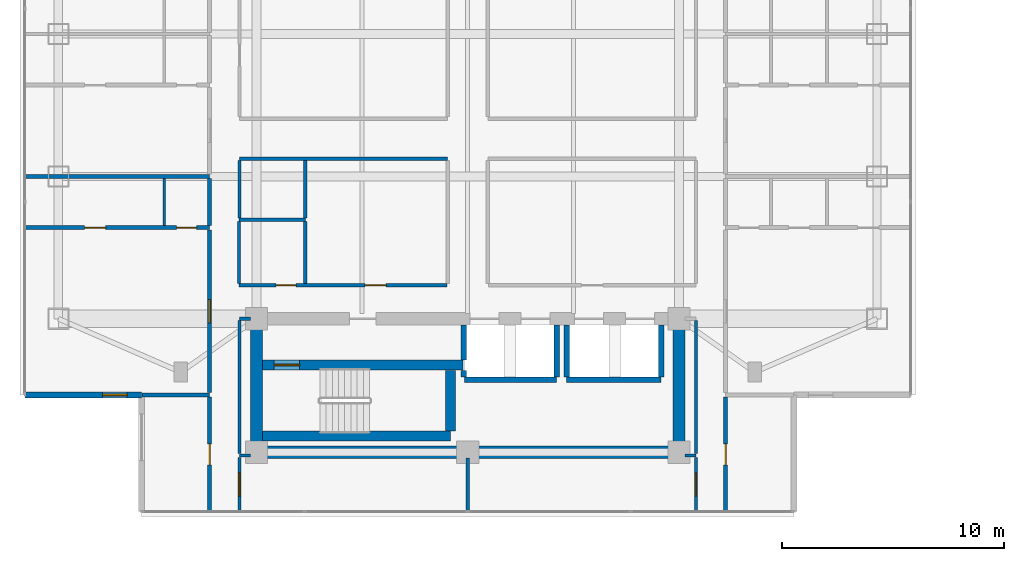
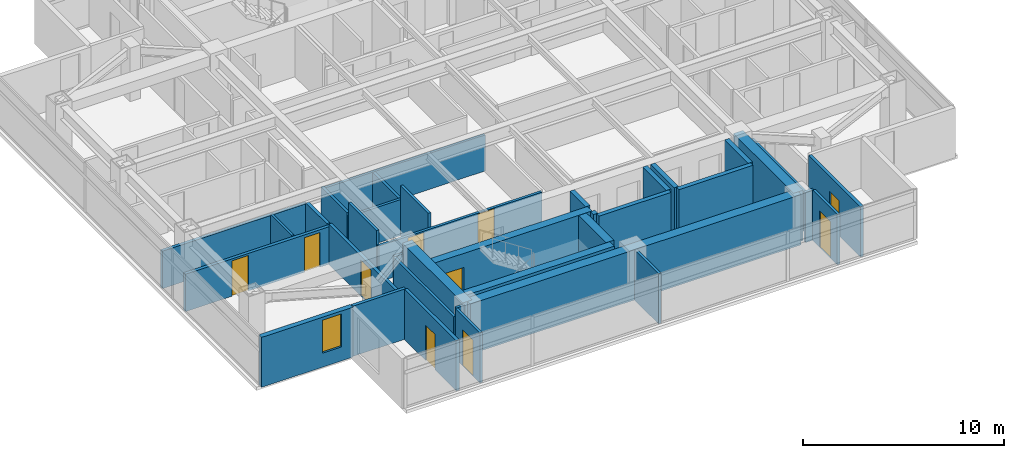
# One storey, part 12 of 24: 37 walls, 10 doors, 1 window, 11 openings.
"""IFC4 building model written with IfcOpenShell, lengths in metres."""

from ifc_helpers import new_model, si_unit, direction, frame, frame_2d, origin, place, context, subcontext, project, spatial, rectangle, extrude, material, layer, layer_set, type_object, element, fill, save


model = new_model("IFC4")

# Units and contexts
model_context = context("Model", 3, precision=1e-05, world=origin(), true_north=direction((0.0, 1.0)))
body_context = subcontext(model_context, "Body", "Model", "MODEL_VIEW")
ifc_project = project(units=[si_unit("LENGTHUNIT", "METRE"), si_unit("AREAUNIT", "SQUARE_METRE"), si_unit("VOLUMEUNIT", "CUBIC_METRE"), si_unit("PLANEANGLEUNIT", "RADIAN"), si_unit("MASSUNIT", "GRAM", prefix="KILO")], contexts=[model_context])

# Site, building, storey
site_placement = place(None, origin())
site = spatial("IfcSite", under=ifc_project, at=site_placement, CompositionType="ELEMENT")
building_placement = place(site_placement, origin())
building = spatial("IfcBuilding", under=site, at=building_placement, Name="Mirazonda Arch Towers", CompositionType="ELEMENT")
storey_placement = place(building_placement, frame((0.0, 0.0, 157.64990234375)))
storey = spatial("IfcBuildingStorey", under=building, at=storey_placement, Name="L44", CompositionType="ELEMENT", Elevation=157.64990234375)

# Wall
ifc_material_1 = material(Name="Concrete C50/60", Category="concrete")
ifc_layer_1 = layer(ifc_material_1, 0.449951171875, Name="WALL-CORE-450")
ifc_layer_set_1 = layer_set([ifc_layer_1], Name="Concrete C50/60")
wall_type_1 = type_object("IfcWallType", Name="WALL-CORE-450", PredefinedType="SHEAR", material=ifc_layer_set_1)
wall_1_placement = place(storey_placement, frame((11.27001953125, 13.1201171875, 0.0), z_axis=(0.0, 0.0, 1.0), x_axis=(1.0, 0.0, 0.0)))
element("IfcWall", 1, at=wall_1_placement, inside=storey, type_object=wall_type_1, Name="L44 Stair Core Shear Wall 003", PredefinedType="SHEAR", context=body_context, shape_type="SweptSolid", body=[
    extrude(rectangle(XDim=8.4599609375, YDim=0.449951171875, at=frame_2d((4.22998046875, 0.0))), origin(), (0.0, 0.0, 1.0), 3.050048828125),
])

# Wall, opening, door
wall_2_placement = place(storey_placement, frame((11.27001953125, 16.320068359375, 0.0), z_axis=(0.0, 0.0, 1.0), x_axis=(1.0, 0.0, 0.0)))
wall_2 = element("IfcWall", 2, at=wall_2_placement, inside=storey, type_object=wall_type_1, Name="L44 Stair Core Shear Wall 008", PredefinedType="SHEAR", context=body_context, shape_type="SweptSolid", body=[
    extrude(rectangle(XDim=9.010009765625, YDim=0.449951171875, at=frame_2d((4.5048828125, 0.0))), origin(), (0.0, 0.0, 1.0), 3.050048828125),
])
opening_1_placement = place(wall_2_placement, frame((0.52001953125, 0.0, 0.0)))
opening_1 = element("IfcOpeningElement", 3, at=opening_1_placement, cuts=wall_2, Name="Opening DR-135", PredefinedType="OPENING", context=body_context, shape_type="SweptSolid", body=[
    extrude(rectangle(XDim=1.14990234375, YDim=2.199951171875, at=frame_2d((0.574951171875, 1.10009765625))), frame((0.0, 0.23486328125, 0.0), z_axis=(0.0, -1.0, 0.0), x_axis=(1.0, 0.0, 0.0)), (0.0, 0.0, 1.0), 0.469970703125),
])
ifc_material_2 = material(Name="Architectural Brushed Steel S355", Category="steel")
door_type_1 = type_object("IfcDoorType", Name="DOOR-STAIR-FD90-1150", OperationType="NOTDEFINED", PredefinedType="DOOR", material=ifc_material_2)
door_1_placement = place(opening_1_placement, origin())
door_1 = element("IfcDoor", 4, at=door_1_placement, inside=storey, type_object=door_type_1, Name="L44 Protected Exit Stair South Door", OperationType="SINGLE_SWING_RIGHT", OverallHeight=2.199951171875, OverallWidth=1.14990234375, PredefinedType="DOOR", context=body_context, shape_type="SweptSolid", body=[
    extrude(rectangle(XDim=1.14990234375, YDim=2.199951171875, at=frame_2d((0.574951171875, 1.10009765625))), frame((0.0, 0.02490234375, 0.0), z_axis=(0.0, -1.0, 0.0), x_axis=(1.0, 0.0, 0.0)), (0.0, 0.0, 1.0), 0.050048828125),
])
fill(opening_1, door_1)

# Walls
wall_3_placement = place(storey_placement, frame((19.72998046875, 13.35498046875, 0.0), z_axis=(0.0, 0.0, 1.0), x_axis=(0.0, 1.0, 0.0)))
element("IfcWall", 5, at=wall_3_placement, inside=storey, type_object=wall_type_1, Name="L44 Stair Core Shear Wall 089", PredefinedType="SHEAR", context=body_context, shape_type="SweptSolid", body=[
    extrude(rectangle(XDim=2.72998046875, YDim=0.449951171875, at=frame_2d((1.364990234375, 0.0))), origin(), (0.0, 0.0, 1.0), 3.050048828125),
])
ifc_layer_2 = layer(ifc_material_1, 0.550048828125, Name="WALL-CORE-550")
ifc_layer_set_2 = layer_set([ifc_layer_2], Name="Concrete C50/60")
wall_type_2 = type_object("IfcWallType", Name="WALL-CORE-550", PredefinedType="SHEAR", material=ifc_layer_set_2)
wall_4_placement = place(storey_placement, frame((11.0, 12.39990234375, 0.0), z_axis=(0.0, 0.0, 1.0), x_axis=(1.0, 0.0, 0.0)))
element("IfcWall", 6, at=wall_4_placement, inside=storey, type_object=wall_type_2, Name="L44 T1S-S Core Shear Wall", PredefinedType="SHEAR", context=body_context, shape_type="SweptSolid", body=[
    extrude(rectangle(XDim=19.0, YDim=0.550048828125, at=frame_2d((9.5, 0.0))), origin(), (0.0, 0.0, 1.0), 3.050048828125),
])
for number, where, z_axis, x_axis, name in (
    (7, (11.0, 12.39990234375, 0.0), (0.0, 0.0, 1.0), (0.0, 1.0, 0.0), "L44 T1S-W Core Shear Wall"),
    (8, (30.0, 12.39990234375, 0.0), (0.0, 0.0, 1.0), (0.0, 1.0, 0.0), "L44 T1S-E Core Shear Wall"),
):
    element("IfcWall", number, at=place(storey_placement, frame(where, z_axis=z_axis, x_axis=x_axis)), inside=storey, type_object=wall_type_2, Name=name, PredefinedType="SHEAR", context=body_context, shape_type="SweptSolid", body=[
        extrude(rectangle(XDim=6.0, YDim=0.550048828125, at=frame_2d((3.0, 0.0))), origin(), (0.0, 0.0, 1.0), 3.050048828125),
    ])

# Wall, opening, window
ifc_material_3 = material(Name="Precast Concrete C40/50", Category="concrete")
ifc_layer_3 = layer(ifc_material_3, 0.280029296875, Name="WALL-EXT-WALL-280")
ifc_layer_set_3 = layer_set([ifc_layer_3], Name="Precast Concrete C40/50")
wall_type_3 = type_object("IfcWallType", Name="WALL-EXT-WALL-280", PredefinedType="SOLIDWALL", material=ifc_layer_set_3)
wall_5_placement = place(storey_placement, frame((0.590087890625, 14.97705078125, 0.0), z_axis=(0.0, 0.0, 1.0), x_axis=(1.0, 0.0, 0.0)))
wall_5 = element("IfcWall", 9, at=wall_5_placement, inside=storey, type_object=wall_type_3, Name="L44 T1 Corner Notch Return Wall WL-L44-T1-CSW2", PredefinedType="SOLIDWALL", context=body_context, shape_type="SweptSolid", body=[
    extrude(rectangle(XDim=5.244873046875, YDim=0.280029296875, at=frame_2d((2.62255859375, 0.0))), origin(), (0.0, 0.0, 1.0), 3.030029296875),
])
opening_2_placement = place(wall_5_placement, frame((3.4951171875, 0.0, 0.85009765625)))
opening_2 = element("IfcOpeningElement", 10, at=opening_2_placement, cuts=wall_5, Name="Opening WN-108", PredefinedType="OPENING", context=body_context, shape_type="SweptSolid", body=[
    extrude(rectangle(XDim=1.10009765625, YDim=2.0, at=frame_2d((0.550048828125, 1.0))), frame((0.0, 0.14990234375, 0.0), z_axis=(0.0, -1.0, 0.0), x_axis=(1.0, 0.0, 0.0)), (0.0, 0.0, 1.0), 0.300048828125),
])
ifc_material_4 = material(Name="Insulated Low-E Solar Glass", Category="glass")
window_type = type_object("IfcWindowType", Name="WIN-NOTCH-1100x2000", PartitioningType="SINGLE_PANEL", PredefinedType="WINDOW", material=ifc_material_4)
window_placement = place(opening_2_placement, origin())
window = element("IfcWindow", 11, at=window_placement, inside=storey, type_object=window_type, Name="L44 Punched Facade Window WN-L44-T1-CSW2", OverallHeight=2.0, OverallWidth=1.10009765625, PartitioningType="SINGLE_PANEL", PredefinedType="WINDOW", context=body_context, shape_type="SweptSolid", body=[
    extrude(rectangle(XDim=1.10009765625, YDim=2.0, at=frame_2d((0.550048828125, 1.0))), frame((0.0, 0.030029296875, 0.0), z_axis=(0.0, -1.0, 0.0), x_axis=(1.0, 0.0, 0.0)), (0.0, 0.0, 1.0), 0.06005859375),
])
fill(opening_2, window)

# Walls
ifc_material_5 = material(Name="Fire-Rated Gypsum Stud Partition")
ifc_layer_4 = layer(ifc_material_5, 0.14990234375, Name="WALL-PART-CORR-150")
ifc_layer_set_4 = layer_set([ifc_layer_4], Name="Fire-Rated Gypsum Stud Partition")
wall_type_4 = type_object("IfcWallType", Name="WALL-PART-CORR-150", PredefinedType="PARTITIONING", material=ifc_layer_set_4)
for number, where, z_axis, x_axis, name in (
    (12, (10.239990234375, 12.25, 0.0), (0.0, 0.0, 1.0), (1.0, 0.0, 0.0), "L44 Interior Partition 001"),
    (13, (30.27001953125, 12.25, 0.0), (0.0, 0.0, 1.0), (1.0, 0.0, 0.0), "L44 Interior Partition 002"),
):
    element("IfcWall", number, at=place(storey_placement, frame(where, z_axis=z_axis, x_axis=x_axis)), inside=storey, type_object=wall_type_4, Name=name, PredefinedType="PARTITIONING", context=body_context, shape_type="SweptSolid", body=[
        extrude(rectangle(XDim=0.489990234375, YDim=0.14990234375, at=frame_2d((0.2451171875, 0.0))), origin(), (0.0, 0.0, 1.0), 3.050048828125),
    ])
wall_6_placement = place(storey_placement, frame((10.239990234375, 18.39990234375, 0.0), z_axis=(0.0, 0.0, 1.0), x_axis=(1.0, 0.0, 0.0)))
element("IfcWall", 14, at=wall_6_placement, inside=storey, type_object=wall_type_4, Name="L44 Interior Partition 012", PredefinedType="PARTITIONING", context=body_context, shape_type="SweptSolid", body=[
    extrude(rectangle(XDim=0.489990234375, YDim=0.14990234375, at=frame_2d((0.2451171875, 0.0))), origin(), (0.0, 0.0, 1.0), 2.442138671875),
])

# Wall, openings, doors
wall_7_placement = place(storey_placement, frame((10.219970703125, 19.89990234375, 0.0), z_axis=(0.0, 0.0, 1.0), x_axis=(1.0, 0.0, 0.0)))
wall_7 = element("IfcWall", 15, at=wall_7_placement, inside=storey, type_object=wall_type_4, Name="L44 Interior Partition 015", PredefinedType="PARTITIONING", context=body_context, shape_type="SweptSolid", body=[
    extrude(rectangle(XDim=9.340087890625, YDim=0.14990234375, at=frame_2d((4.669921875, 0.0))), origin(), (0.0, 0.0, 1.0), 2.18603515625),
])
opening_3_placement = place(wall_7_placement, frame((1.659912109375, 0.0, 0.0)))
opening_3 = element("IfcOpeningElement", 16, at=opening_3_placement, cuts=wall_7, Name="Opening DR-120", PredefinedType="OPENING", context=body_context, shape_type="SweptSolid", body=[
    extrude(rectangle(XDim=0.89990234375, YDim=2.10009765625, at=frame_2d((0.449951171875, 1.050048828125))), frame((0.0, 0.0849609375, 0.0), z_axis=(0.0, -1.0, 0.0), x_axis=(1.0, 0.0, 0.0)), (0.0, 0.0, 1.0), 0.169921875),
])
opening_4_placement = place(wall_7_placement, frame((5.6650390625, 0.0, 0.0)))
opening_4 = element("IfcOpeningElement", 17, at=opening_4_placement, cuts=wall_7, Name="Opening DR-104", PredefinedType="OPENING", context=body_context, shape_type="SweptSolid", body=[
    extrude(rectangle(XDim=0.949951171875, YDim=2.14990234375, at=frame_2d((0.47509765625, 1.074951171875))), frame((0.0, 0.0849609375, 0.0), z_axis=(0.0, -1.0, 0.0), x_axis=(1.0, 0.0, 0.0)), (0.0, 0.0, 1.0), 0.169921875),
])
door_type_2 = type_object("IfcDoorType", Name="DOOR-ROOM-950", OperationType="NOTDEFINED", PredefinedType="DOOR", material=ifc_material_2)
door_2_placement = place(opening_4_placement, origin())
door_2 = element("IfcDoor", 18, at=door_2_placement, inside=storey, type_object=door_type_2, Name="L44 L44 West Courtyard Study Door", OperationType="SINGLE_SWING_LEFT", OverallHeight=2.14990234375, OverallWidth=0.949951171875, PredefinedType="DOOR", context=body_context, shape_type="SweptSolid", body=[
    extrude(rectangle(XDim=0.949951171875, YDim=2.14990234375, at=frame_2d((0.47509765625, 1.074951171875))), frame((0.0, 0.02490234375, 0.0), z_axis=(0.0, -1.0, 0.0), x_axis=(1.0, 0.0, 0.0)), (0.0, 0.0, 1.0), 0.050048828125),
])
fill(opening_4, door_2)
door_type_3 = type_object("IfcDoorType", Name="DOOR-WC-900", OperationType="NOTDEFINED", PredefinedType="DOOR", material=ifc_material_2)
door_3_placement = place(opening_3_placement, origin())
door_3 = element("IfcDoor", 19, at=door_3_placement, inside=storey, type_object=door_type_3, Name="L44 Common Accessible WC Door", OperationType="SINGLE_SWING_LEFT", OverallHeight=2.10009765625, OverallWidth=0.89990234375, PredefinedType="DOOR", context=body_context, shape_type="SweptSolid", body=[
    extrude(rectangle(XDim=0.89990234375, YDim=2.10009765625, at=frame_2d((0.449951171875, 1.050048828125))), frame((0.0, 0.02490234375, 0.0), z_axis=(0.0, -1.0, 0.0), x_axis=(1.0, 0.0, 0.0)), (0.0, 0.0, 1.0), 0.050048828125),
])
fill(opening_3, door_3)

# Walls
wall_8_placement = place(storey_placement, frame((10.219970703125, 22.85009765625, 0.0), z_axis=(0.0, 0.0, 1.0), x_axis=(1.0, 0.0, 0.0)))
element("IfcWall", 20, at=wall_8_placement, inside=storey, type_object=wall_type_4, Name="L44 Interior Partition 024", PredefinedType="PARTITIONING", context=body_context, shape_type="SweptSolid", body=[
    extrude(rectangle(XDim=2.97998046875, YDim=0.14990234375, at=frame_2d((1.489990234375, 0.0))), origin(), (0.0, 0.0, 1.0), 2.18603515625),
])
wall_9_placement = place(storey_placement, frame((10.239990234375, 25.60009765625, 0.0), z_axis=(0.0, 0.0, 1.0), x_axis=(1.0, 0.0, 0.0)))
element("IfcWall", 21, at=wall_9_placement, inside=storey, type_object=wall_type_4, Name="L44 Interior Partition 029", PredefinedType="PARTITIONING", context=body_context, shape_type="SweptSolid", body=[
    extrude(rectangle(XDim=9.360107421875, YDim=0.14990234375, at=frame_2d((4.68017578125, 0.0))), origin(), (0.0, 0.0, 1.0), 2.18603515625),
])
wall_10_placement = place(storey_placement, frame((10.219970703125, 19.985107421875, 0.0), z_axis=(0.0, 0.0, 1.0), x_axis=(0.0, 1.0, 0.0)))
element("IfcWall", 22, at=wall_10_placement, inside=storey, type_object=wall_type_4, Name="L44 Interior Partition 075", PredefinedType="PARTITIONING", context=body_context, shape_type="SweptSolid", body=[
    extrude(rectangle(XDim=2.77978515625, YDim=0.14990234375, at=frame_2d((1.389892578125, 0.0))), origin(), (0.0, 0.0, 1.0), 3.050048828125),
])

# Wall, opening, door
wall_11_placement = place(storey_placement, frame((10.239990234375, 9.73193359375, 0.0), z_axis=(0.0, 0.0, 1.0), x_axis=(0.0, 1.0, 0.0)))
wall_11 = element("IfcWall", 23, at=wall_11_placement, inside=storey, type_object=wall_type_4, Name="L44 Interior Partition 076", PredefinedType="PARTITIONING", context=body_context, shape_type="SweptSolid", body=[
    extrude(rectangle(XDim=2.43310546875, YDim=0.14990234375, at=frame_2d((1.216552734375, 0.0))), origin(), (0.0, 0.0, 1.0), 3.050048828125),
])
opening_5_placement = place(wall_11_placement, frame((0.69140625, 0.0, 0.0)))
opening_5 = element("IfcOpeningElement", 24, at=opening_5_placement, cuts=wall_11, Name="Opening DR-121", PredefinedType="OPENING", context=body_context, shape_type="SweptSolid", body=[
    extrude(rectangle(XDim=1.050048828125, YDim=2.199951171875, at=frame_2d((0.52490234375, 1.10009765625))), frame((0.0, 0.0849609375, 0.0), z_axis=(0.0, -1.0, 0.0), x_axis=(1.0, 0.0, 0.0)), (0.0, 0.0, 1.0), 0.169921875),
])
door_type_4 = type_object("IfcDoorType", Name="DOOR-SUITE-FD60-1050", OperationType="NOTDEFINED", PredefinedType="DOOR", material=ifc_material_2)
door_4_placement = place(opening_5_placement, origin())
door_4 = element("IfcDoor", 25, at=door_4_placement, inside=storey, type_object=door_type_4, Name="L44 South Panoramic Study West Door", OperationType="SINGLE_SWING_LEFT", OverallHeight=2.199951171875, OverallWidth=1.050048828125, PredefinedType="DOOR", context=body_context, shape_type="SweptSolid", body=[
    extrude(rectangle(XDim=1.050048828125, YDim=2.199951171875, at=frame_2d((0.52490234375, 1.10009765625))), frame((0.0, 0.02490234375, 0.0), z_axis=(0.0, -1.0, 0.0), x_axis=(1.0, 0.0, 0.0)), (0.0, 0.0, 1.0), 0.050048828125),
])
fill(opening_5, door_4)

# Walls
wall_12_placement = place(storey_placement, frame((10.239990234375, 12.3349609375, 0.0), z_axis=(0.0, 0.0, 1.0), x_axis=(0.0, 1.0, 0.0)))
element("IfcWall", 26, at=wall_12_placement, inside=storey, type_object=wall_type_4, Name="L44 Interior Partition 077", PredefinedType="PARTITIONING", context=body_context, shape_type="SweptSolid", body=[
    extrude(rectangle(XDim=5.97998046875, YDim=0.14990234375, at=frame_2d((2.989990234375, 0.0))), origin(), (0.0, 0.0, 1.0), 2.442138671875),
])
wall_13_placement = place(storey_placement, frame((10.239990234375, 22.93505859375, 0.0), z_axis=(0.0, 0.0, 1.0), x_axis=(0.0, 1.0, 0.0)))
element("IfcWall", 27, at=wall_13_placement, inside=storey, type_object=wall_type_4, Name="L44 Interior Partition 078", PredefinedType="PARTITIONING", context=body_context, shape_type="SweptSolid", body=[
    extrude(rectangle(XDim=2.579833984375, YDim=0.14990234375, at=frame_2d((1.2900390625, 0.0))), origin(), (0.0, 0.0, 1.0), 2.34619140625),
])
wall_14_placement = place(storey_placement, frame((13.199951171875, 19.985107421875, 0.0), z_axis=(0.0, 0.0, 1.0), x_axis=(0.0, 1.0, 0.0)))
element("IfcWall", 28, at=wall_14_placement, inside=storey, type_object=wall_type_4, Name="L44 Interior Partition 083", PredefinedType="PARTITIONING", context=body_context, shape_type="SweptSolid", body=[
    extrude(rectangle(XDim=2.77978515625, YDim=0.14990234375, at=frame_2d((1.389892578125, 0.0))), origin(), (0.0, 0.0, 1.0), 3.050048828125),
])
wall_15_placement = place(storey_placement, frame((13.199951171875, 22.93505859375, 0.0), z_axis=(0.0, 0.0, 1.0), x_axis=(0.0, 1.0, 0.0)))
element("IfcWall", 29, at=wall_15_placement, inside=storey, type_object=wall_type_4, Name="L44 Interior Partition 084", PredefinedType="PARTITIONING", context=body_context, shape_type="SweptSolid", body=[
    extrude(rectangle(XDim=2.579833984375, YDim=0.14990234375, at=frame_2d((1.2900390625, 0.0))), origin(), (0.0, 0.0, 1.0), 2.18603515625),
])
wall_16_placement = place(storey_placement, frame((20.5, 9.73193359375, 0.0), z_axis=(0.0, 0.0, 1.0), x_axis=(0.0, 1.0, 0.0)))
element("IfcWall", 30, at=wall_16_placement, inside=storey, type_object=wall_type_4, Name="L44 Interior Partition 094", PredefinedType="PARTITIONING", context=body_context, shape_type="SweptSolid", body=[
    extrude(rectangle(XDim=2.39794921875, YDim=0.14990234375, at=frame_2d((1.198974609375, 0.0))), origin(), (0.0, 0.0, 1.0), 3.050048828125),
])

# Wall, opening, door
wall_17_placement = place(storey_placement, frame((30.760009765625, 9.73193359375, 0.0), z_axis=(0.0, 0.0, 1.0), x_axis=(0.0, 1.0, 0.0)))
wall_17 = element("IfcWall", 31, at=wall_17_placement, inside=storey, type_object=wall_type_4, Name="L44 Interior Partition 108", PredefinedType="PARTITIONING", context=body_context, shape_type="SweptSolid", body=[
    extrude(rectangle(XDim=2.43310546875, YDim=0.14990234375, at=frame_2d((1.216552734375, 0.0))), origin(), (0.0, 0.0, 1.0), 3.050048828125),
])
opening_6_placement = place(wall_17_placement, frame((0.69140625, 0.0, 0.0)))
opening_6 = element("IfcOpeningElement", 32, at=opening_6_placement, cuts=wall_17, Name="Opening DR-121", PredefinedType="OPENING", context=body_context, shape_type="SweptSolid", body=[
    extrude(rectangle(XDim=1.050048828125, YDim=2.199951171875, at=frame_2d((0.52490234375, 1.10009765625))), frame((0.0, 0.0849609375, 0.0), z_axis=(0.0, -1.0, 0.0), x_axis=(1.0, 0.0, 0.0)), (0.0, 0.0, 1.0), 0.169921875),
])
door_5_placement = place(opening_6_placement, origin())
door_5 = element("IfcDoor", 33, at=door_5_placement, inside=storey, type_object=door_type_4, Name="L44 South Panoramic Study East Door", OperationType="SINGLE_SWING_RIGHT", OverallHeight=2.199951171875, OverallWidth=1.050048828125, PredefinedType="DOOR", context=body_context, shape_type="SweptSolid", body=[
    extrude(rectangle(XDim=1.050048828125, YDim=2.199951171875, at=frame_2d((0.52490234375, 1.10009765625))), frame((0.0, 0.02490234375, 0.0), z_axis=(0.0, -1.0, 0.0), x_axis=(1.0, 0.0, 0.0)), (0.0, 0.0, 1.0), 0.050048828125),
])
fill(opening_6, door_5)

# Walls
wall_18_placement = place(storey_placement, frame((30.760009765625, 12.3349609375, 0.0), z_axis=(0.0, 0.0, 1.0), x_axis=(0.0, 1.0, 0.0)))
element("IfcWall", 34, at=wall_18_placement, inside=storey, type_object=wall_type_4, Name="L44 Interior Partition 109", PredefinedType="PARTITIONING", context=body_context, shape_type="SweptSolid", body=[
    extrude(rectangle(XDim=5.97998046875, YDim=0.14990234375, at=frame_2d((2.989990234375, 0.0))), origin(), (0.0, 0.0, 1.0), 2.442138671875),
])
ifc_material_6 = material(Name="Fire-Rated Gypsum Twin-Stud Assembly")
ifc_layer_5 = layer(ifc_material_6, 0.179931640625, Name="WALL-PART-DEMISE-180")
ifc_layer_set_5 = layer_set([ifc_layer_5], Name="Fire-Rated Gypsum Twin-Stud Assembly")
wall_type_5 = type_object("IfcWallType", Name="WALL-PART-DEMISE-180", PredefinedType="PARTITIONING", material=ifc_layer_set_5)
wall_19_placement = place(storey_placement, frame((5.85498046875, 14.97705078125, 0.0), z_axis=(0.0, 0.0, 1.0), x_axis=(1.0, 0.0, 0.0)))
element("IfcWall", 35, at=wall_19_placement, inside=storey, type_object=wall_type_5, Name="L44 Interior Partition 004", PredefinedType="PARTITIONING", context=body_context, shape_type="SweptSolid", body=[
    extrude(rectangle(XDim=3.044921875, YDim=0.179931640625, at=frame_2d((1.5224609375, 0.0))), origin(), (0.0, 0.0, 1.0), 3.050048828125),
])

# Wall, openings, doors
wall_20_placement = place(storey_placement, frame((0.590087890625, 22.5, 0.0), z_axis=(0.0, 0.0, 1.0), x_axis=(1.0, 0.0, 0.0)))
wall_20 = element("IfcWall", 36, at=wall_20_placement, inside=storey, type_object=wall_type_5, Name="L44 Interior Partition 021", PredefinedType="PARTITIONING", context=body_context, shape_type="SweptSolid", body=[
    extrude(rectangle(XDim=8.309814453125, YDim=0.179931640625, at=frame_2d((4.15478515625, 0.0))), origin(), (0.0, 0.0, 1.0), 2.26904296875),
])
opening_7_placement = place(wall_20_placement, frame((2.679931640625, 0.0, 0.0)))
opening_7 = element("IfcOpeningElement", 37, at=opening_7_placement, cuts=wall_20, Name="Opening DR-104", PredefinedType="OPENING", context=body_context, shape_type="SweptSolid", body=[
    extrude(rectangle(XDim=0.949951171875, YDim=2.14990234375, at=frame_2d((0.47509765625, 1.074951171875))), frame((0.0, 0.099853515625, 0.0), z_axis=(0.0, -1.0, 0.0), x_axis=(1.0, 0.0, 0.0)), (0.0, 0.0, 1.0), 0.199951171875),
])
opening_8_placement = place(wall_20_placement, frame((6.820068359375, 0.0, 0.0)))
opening_8 = element("IfcOpeningElement", 38, at=opening_8_placement, cuts=wall_20, Name="Opening DR-120", PredefinedType="OPENING", context=body_context, shape_type="SweptSolid", body=[
    extrude(rectangle(XDim=0.89990234375, YDim=2.10009765625, at=frame_2d((0.449951171875, 1.050048828125))), frame((0.0, 0.099853515625, 0.0), z_axis=(0.0, -1.0, 0.0), x_axis=(1.0, 0.0, 0.0)), (0.0, 0.0, 1.0), 0.199951171875),
])
door_6_placement = place(opening_7_placement, origin())
door_6 = element("IfcDoor", 39, at=door_6_placement, inside=storey, type_object=door_type_2, Name="L44 Studio 1 Galley Kitchen Door", OperationType="SINGLE_SWING_LEFT", OverallHeight=2.14990234375, OverallWidth=0.949951171875, PredefinedType="DOOR", context=body_context, shape_type="SweptSolid", body=[
    extrude(rectangle(XDim=0.949951171875, YDim=2.14990234375, at=frame_2d((0.47509765625, 1.074951171875))), frame((0.0, 0.02490234375, 0.0), z_axis=(0.0, -1.0, 0.0), x_axis=(1.0, 0.0, 0.0)), (0.0, 0.0, 1.0), 0.050048828125),
])
fill(opening_7, door_6)
door_7_placement = place(opening_8_placement, origin())
door_7 = element("IfcDoor", 40, at=door_7_placement, inside=storey, type_object=door_type_3, Name="L44 Studio 1 Bathroom Door", OperationType="SINGLE_SWING_RIGHT", OverallHeight=2.10009765625, OverallWidth=0.89990234375, PredefinedType="DOOR", context=body_context, shape_type="SweptSolid", body=[
    extrude(rectangle(XDim=0.89990234375, YDim=2.10009765625, at=frame_2d((0.449951171875, 1.050048828125))), frame((0.0, 0.02490234375, 0.0), z_axis=(0.0, -1.0, 0.0), x_axis=(1.0, 0.0, 0.0)), (0.0, 0.0, 1.0), 0.050048828125),
])
fill(opening_8, door_7)

# Wall
wall_21_placement = place(storey_placement, frame((0.590087890625, 24.800048828125, 0.0), z_axis=(0.0, 0.0, 1.0), x_axis=(1.0, 0.0, 0.0)))
element("IfcWall", 41, at=wall_21_placement, inside=storey, type_object=wall_type_5, Name="L44 Interior Partition 026", PredefinedType="PARTITIONING", context=body_context, shape_type="SweptSolid", body=[
    extrude(rectangle(XDim=8.309814453125, YDim=0.179931640625, at=frame_2d((4.15478515625, 0.0))), origin(), (0.0, 0.0, 1.0), 2.26904296875),
])

# Wall, opening, door
wall_22_placement = place(storey_placement, frame((8.89990234375, 9.73193359375, 0.0), z_axis=(0.0, 0.0, 1.0), x_axis=(0.0, 1.0, 0.0)))
wall_22 = element("IfcWall", 42, at=wall_22_placement, inside=storey, type_object=wall_type_5, Name="L44 Interior Partition 067", PredefinedType="PARTITIONING", context=body_context, shape_type="SweptSolid", body=[
    extrude(rectangle(XDim=5.14501953125, YDim=0.179931640625, at=frame_2d((2.572509765625, 0.0))), origin(), (0.0, 0.0, 1.0), 3.050048828125),
])
opening_9_placement = place(wall_22_placement, frame((2.097412109375, 0.0, 0.0)))
opening_9 = element("IfcOpeningElement", 43, at=opening_9_placement, cuts=wall_22, Name="Opening DR-104", PredefinedType="OPENING", context=body_context, shape_type="SweptSolid", body=[
    extrude(rectangle(XDim=0.949951171875, YDim=2.14990234375, at=frame_2d((0.47509765625, 1.074951171875))), frame((0.0, 0.099853515625, 0.0), z_axis=(0.0, -1.0, 0.0), x_axis=(1.0, 0.0, 0.0)), (0.0, 0.0, 1.0), 0.199951171875),
])
door_8_placement = place(opening_9_placement, origin())
door_8 = element("IfcDoor", 44, at=door_8_placement, inside=storey, type_object=door_type_2, Name="L44 South Panoramic Study Alcove West Door", OperationType="SINGLE_SWING_LEFT", OverallHeight=2.14990234375, OverallWidth=0.949951171875, PredefinedType="DOOR", context=body_context, shape_type="SweptSolid", body=[
    extrude(rectangle(XDim=0.949951171875, YDim=2.14990234375, at=frame_2d((0.47509765625, 1.074951171875))), frame((0.0, 0.02490234375, 0.0), z_axis=(0.0, -1.0, 0.0), x_axis=(1.0, 0.0, 0.0)), (0.0, 0.0, 1.0), 0.050048828125),
])
fill(opening_9, door_8)

wall_23_placement = place(storey_placement, frame((8.89990234375, 15.076904296875, 0.0), z_axis=(0.0, 0.0, 1.0), x_axis=(0.0, 1.0, 0.0)))
wall_23 = element("IfcWall", 45, at=wall_23_placement, inside=storey, type_object=wall_type_5, Name="L44 Interior Partition 068", PredefinedType="PARTITIONING", context=body_context, shape_type="SweptSolid", body=[
    extrude(rectangle(XDim=7.322998046875, YDim=0.179931640625, at=frame_2d((3.66162109375, 0.0))), origin(), (0.0, 0.0, 1.0), 2.442138671875),
])
opening_10_placement = place(wall_23_placement, frame((3.136474609375, 0.0, 0.0)))
opening_10 = element("IfcOpeningElement", 46, at=opening_10_placement, cuts=wall_23, Name="Opening DR-121", PredefinedType="OPENING", context=body_context, shape_type="SweptSolid", body=[
    extrude(rectangle(XDim=1.050048828125, YDim=2.199951171875, at=frame_2d((0.52490234375, 1.10009765625))), frame((0.0, 0.099853515625, 0.0), z_axis=(0.0, -1.0, 0.0), x_axis=(1.0, 0.0, 0.0)), (0.0, 0.0, 1.0), 0.199951171875),
])
door_9_placement = place(opening_10_placement, origin())
door_9 = element("IfcDoor", 47, at=door_9_placement, inside=storey, type_object=door_type_4, Name="L44 Studio Apartment 1 Living Salon Door", OperationType="SINGLE_SWING_RIGHT", OverallHeight=2.199951171875, OverallWidth=1.050048828125, PredefinedType="DOOR", context=body_context, shape_type="SweptSolid", body=[
    extrude(rectangle(XDim=1.050048828125, YDim=2.199951171875, at=frame_2d((0.52490234375, 1.10009765625))), frame((0.0, 0.02490234375, 0.0), z_axis=(0.0, -1.0, 0.0), x_axis=(1.0, 0.0, 0.0)), (0.0, 0.0, 1.0), 0.050048828125),
])
fill(opening_10, door_9)

# Wall
wall_24_placement = place(storey_placement, frame((8.89990234375, 22.60009765625, 0.0), z_axis=(0.0, 0.0, 1.0), x_axis=(0.0, 1.0, 0.0)))
element("IfcWall", 48, at=wall_24_placement, inside=storey, type_object=wall_type_5, Name="L44 Interior Partition 069", PredefinedType="PARTITIONING", context=body_context, shape_type="SweptSolid", body=[
    extrude(rectangle(XDim=2.099853515625, YDim=0.179931640625, at=frame_2d((1.0498046875, 0.0))), origin(), (0.0, 0.0, 1.0), 2.34619140625),
])

# Wall, opening, door
wall_25_placement = place(storey_placement, frame((32.10009765625, 9.73193359375, 0.0), z_axis=(0.0, 0.0, 1.0), x_axis=(0.0, 1.0, 0.0)))
wall_25 = element("IfcWall", 49, at=wall_25_placement, inside=storey, type_object=wall_type_5, Name="L44 Interior Partition 114", PredefinedType="PARTITIONING", context=body_context, shape_type="SweptSolid", body=[
    extrude(rectangle(XDim=5.14501953125, YDim=0.179931640625, at=frame_2d((2.572509765625, 0.0))), origin(), (0.0, 0.0, 1.0), 3.050048828125),
])
opening_11_placement = place(wall_25_placement, frame((2.097412109375, 0.0, 0.0)))
opening_11 = element("IfcOpeningElement", 50, at=opening_11_placement, cuts=wall_25, Name="Opening DR-104", PredefinedType="OPENING", context=body_context, shape_type="SweptSolid", body=[
    extrude(rectangle(XDim=0.949951171875, YDim=2.14990234375, at=frame_2d((0.47509765625, 1.074951171875))), frame((0.0, 0.099853515625, 0.0), z_axis=(0.0, -1.0, 0.0), x_axis=(1.0, 0.0, 0.0)), (0.0, 0.0, 1.0), 0.199951171875),
])
door_10_placement = place(opening_11_placement, origin())
door_10 = element("IfcDoor", 51, at=door_10_placement, inside=storey, type_object=door_type_2, Name="L44 South Panoramic Study Alcove East Door", OperationType="SINGLE_SWING_RIGHT", OverallHeight=2.14990234375, OverallWidth=0.949951171875, PredefinedType="DOOR", context=body_context, shape_type="SweptSolid", body=[
    extrude(rectangle(XDim=0.949951171875, YDim=2.14990234375, at=frame_2d((0.47509765625, 1.074951171875))), frame((0.0, 0.02490234375, 0.0), z_axis=(0.0, -1.0, 0.0), x_axis=(1.0, 0.0, 0.0)), (0.0, 0.0, 1.0), 0.050048828125),
])
fill(opening_11, door_10)

# Walls
ifc_material_7 = material(Name="Acoustic Fire-Rated Gypsum Partition")
ifc_layer_6 = layer(ifc_material_7, 0.125, Name="WALL-PART-UNIT-125")
ifc_layer_set_6 = layer_set([ifc_layer_6], Name="Acoustic Fire-Rated Gypsum Partition")
wall_type_6 = type_object("IfcWallType", Name="WALL-PART-UNIT-125", PredefinedType="PARTITIONING", material=ifc_layer_set_6)
wall_26_placement = place(storey_placement, frame((6.860107421875, 22.60009765625, 0.0), z_axis=(0.0, 0.0, 1.0), x_axis=(0.0, 1.0, 0.0)))
element("IfcWall", 52, at=wall_26_placement, inside=storey, type_object=wall_type_6, Name="L44 Interior Partition 064", PredefinedType="PARTITIONING", context=body_context, shape_type="SweptSolid", body=[
    extrude(rectangle(XDim=2.099853515625, YDim=0.125, at=frame_2d((1.0498046875, 0.0))), origin(), (0.0, 0.0, 1.0), 2.34619140625),
])
ifc_material_8 = material(Name="Concrete C40/50", Category="concrete")
ifc_layer_7 = layer(ifc_material_8, 0.25, Name="WALL-SHAFT-250")
ifc_layer_set_7 = layer_set([ifc_layer_7], Name="Concrete C40/50")
wall_type_7 = type_object("IfcWallType", Name="WALL-SHAFT-250", PredefinedType="SOLIDWALL", material=ifc_layer_set_7)
wall_27_placement = place(storey_placement, frame((20.35009765625, 15.64990234375, 0.0), z_axis=(0.0, 0.0, 1.0), x_axis=(1.0, 0.0, 0.0)))
element("IfcWall", 53, at=wall_27_placement, inside=storey, type_object=wall_type_7, Name="L44 Interior Partition 006", PredefinedType="SOLIDWALL", context=body_context, shape_type="SweptSolid", body=[
    extrude(rectangle(XDim=4.14990234375, YDim=0.25, at=frame_2d((2.074951171875, 0.0))), origin(), (0.0, 0.0, 1.0), 3.050048828125),
])
wall_28_placement = place(storey_placement, frame((24.949951171875, 15.64990234375, 0.0), z_axis=(0.0, 0.0, 1.0), x_axis=(1.0, 0.0, 0.0)))
element("IfcWall", 54, at=wall_28_placement, inside=storey, type_object=wall_type_7, Name="L44 Interior Partition 007", PredefinedType="SOLIDWALL", context=body_context, shape_type="SweptSolid", body=[
    extrude(rectangle(XDim=4.25, YDim=0.25, at=frame_2d((2.125, 0.0))), origin(), (0.0, 0.0, 1.0), 3.050048828125),
])
wall_29_placement = place(storey_placement, frame((20.31494140625, 15.784912109375, 0.0), z_axis=(0.0, 0.0, 1.0), x_axis=(0.0, 1.0, 0.0)))
element("IfcWall", 55, at=wall_29_placement, inside=storey, type_object=wall_type_7, Name="L44 Interior Partition 091", PredefinedType="SOLIDWALL", context=body_context, shape_type="SweptSolid", body=[
    extrude(rectangle(XDim=0.300048828125, YDim=0.25, at=frame_2d((0.14990234375, 0.0))), origin(), (0.0, 0.0, 1.0), 3.050048828125),
])
wall_30_placement = place(storey_placement, frame((20.31494140625, 16.554931640625, 0.0), z_axis=(0.0, 0.0, 1.0), x_axis=(0.0, 1.0, 0.0)))
element("IfcWall", 56, at=wall_30_placement, inside=storey, type_object=wall_type_7, Name="L44 Interior Partition 092", PredefinedType="SOLIDWALL", context=body_context, shape_type="SweptSolid", body=[
    extrude(rectangle(XDim=1.574951171875, YDim=0.25, at=frame_2d((0.78759765625, 0.0))), origin(), (0.0, 0.0, 1.0), 3.050048828125),
])
for number, where, z_axis, x_axis, name in (
    (57, (24.5, 15.784912109375, 0.0), (0.0, 0.0, 1.0), (0.0, 1.0, 0.0), "L44 Interior Partition 098"),
    (58, (24.949951171875, 15.784912109375, 0.0), (0.0, 0.0, 1.0), (0.0, 1.0, 0.0), "L44 Interior Partition 100"),
    (59, (29.199951171875, 15.784912109375, 0.0), (0.0, 0.0, 1.0), (0.0, 1.0, 0.0), "L44 Interior Partition 105"),
):
    element("IfcWall", number, at=place(storey_placement, frame(where, z_axis=z_axis, x_axis=x_axis)), inside=storey, type_object=wall_type_7, Name=name, PredefinedType="SOLIDWALL", context=body_context, shape_type="SweptSolid", body=[
        extrude(rectangle(XDim=2.344970703125, YDim=0.25, at=frame_2d((1.17236328125, 0.0))), origin(), (0.0, 0.0, 1.0), 3.050048828125),
    ])

save(model, "model.ifc")
